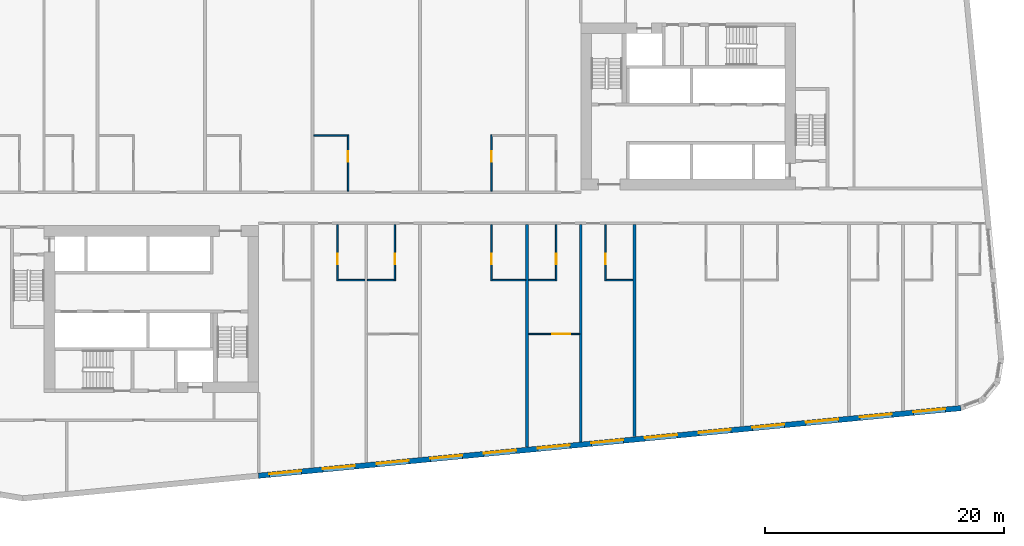
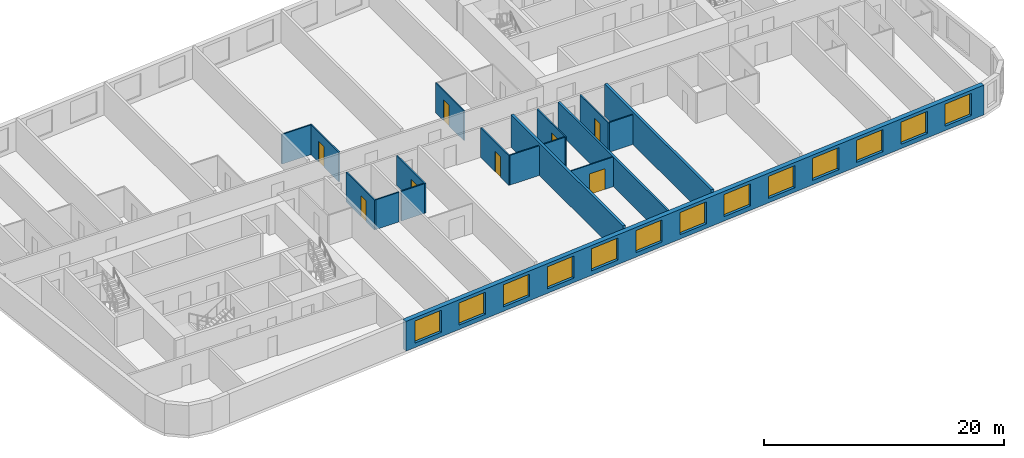
# One storey, part 4 of 12: 18 walls, 13 windows, 8 doors, 21 openings.
"""IFC4 building model written with IfcOpenShell, lengths in metres."""

from ifc_helpers import new_model, si_unit, direction, frame, frame_2d, origin, place, context, subcontext, project, spatial, rectangle, extrude, material, layer, layer_set, type_object, element, fill, save


model = new_model("IFC4")

# Units and contexts
model_context = context("Model", 3, precision=1e-05, world=origin(), true_north=direction((0.0, 1.0)))
body_context = subcontext(model_context, "Body", "Model", "MODEL_VIEW")
ifc_project = project(units=[si_unit("LENGTHUNIT", "METRE"), si_unit("AREAUNIT", "SQUARE_METRE"), si_unit("VOLUMEUNIT", "CUBIC_METRE"), si_unit("PLANEANGLEUNIT", "RADIAN"), si_unit("MASSUNIT", "GRAM", prefix="KILO")], contexts=[model_context])

# Site, building, storey
site_placement = place(None, origin())
site = spatial("IfcSite", under=ifc_project, at=site_placement, CompositionType="ELEMENT")
building_placement = place(site_placement, origin())
building = spatial("IfcBuilding", under=site, at=building_placement, Name="Kajstack Hotel Tower", CompositionType="ELEMENT")
storey_placement = place(building_placement, frame((0.0, 0.0, 117.39990234375)))
storey = spatial("IfcBuildingStorey", under=building, at=storey_placement, Name="L25", CompositionType="ELEMENT", Elevation=117.39990234375)

# Wall
ifc_material_1 = material(Name="Twin-frame gypsum board on steel studs, mineral wool", Category="steel")
ifc_layer_1 = layer(ifc_material_1, 0.199951171875)
ifc_layer_set_1 = layer_set([ifc_layer_1], Name="Demising wall 200")
wall_type_1 = type_object("IfcWallType", Name="Demising wall 200", PredefinedType="PARTITIONING", material=ifc_layer_set_1)
wall_1_placement = place(storey_placement, frame((13.5, -19.633056640625, 0.0), z_axis=(0.0, 0.0, 1.0), x_axis=(0.0, 1.0, 0.0)))
element("IfcWall", 1, at=wall_1_placement, inside=storey, type_object=wall_type_1, Name="G-wall-L25-032", PredefinedType="PARTITIONING", context=body_context, shape_type="SweptSolid", body=[
    extrude(rectangle(XDim=18.233154296875, YDim=0.199951171875, at=frame_2d((9.11669921875, 0.0))), origin(), (0.0, 0.0, 1.0), 3.02001953125),
])

# Wall, openings, windows
ifc_material_2 = material(Name="Terracotta-faced brick masonry", Category="masonry")
ifc_layer_2 = layer(ifc_material_2, 0.449951171875)
ifc_layer_set_2 = layer_set([ifc_layer_2], Name="EW-TERRA")
wall_type_2 = type_object("IfcWallType", Name="EW-TERRA", PredefinedType="SOLIDWALL", material=ifc_layer_set_2)
wall_2_placement = place(storey_placement, frame((-13.521484375, -22.46044921875, 0.0), z_axis=(0.0, 0.0, 1.0), x_axis=(0.995396096335, 0.095846812164, 0.0)))
wall_2 = element("IfcWall", 2, at=wall_2_placement, inside=storey, type_object=wall_type_2, Name="E-wall-L25-04-02", PredefinedType="SOLIDWALL", context=body_context, shape_type="SweptSolid", body=[
    extrude(rectangle(XDim=59.15087890625, YDim=0.449951171875, at=frame_2d((29.575439453125, 0.0))), origin(), (0.0, 0.0, 1.0), 3.02001953125),
])
opening_1_placement = place(wall_2_placement, frame((0.910400390625, 0.0, 0.449951171875)))
opening_1 = element("IfcOpeningElement", 3, at=opening_1_placement, cuts=wall_2, Name="Opening W1", PredefinedType="OPENING", context=body_context, shape_type="SweptSolid", body=[
    extrude(rectangle(XDim=2.699951171875, YDim=2.25, at=frame_2d((1.35009765625, 1.125))), frame((0.0, 0.23486328125, 0.0), z_axis=(0.0, -1.0, 0.0), x_axis=(1.0, 0.0, 0.0)), (0.0, 0.0, 1.0), 0.469970703125),
])
opening_2_placement = place(wall_2_placement, frame((5.43115234375, 0.0, 0.449951171875)))
opening_2 = element("IfcOpeningElement", 4, at=opening_2_placement, cuts=wall_2, Name="Opening W1", PredefinedType="OPENING", context=body_context, shape_type="SweptSolid", body=[
    extrude(rectangle(XDim=2.699951171875, YDim=2.25, at=frame_2d((1.35009765625, 1.125))), frame((0.0, 0.23486328125, 0.0), z_axis=(0.0, -1.0, 0.0), x_axis=(1.0, 0.0, 0.0)), (0.0, 0.0, 1.0), 0.469970703125),
])
opening_3_placement = place(wall_2_placement, frame((9.951904296875, 0.0, 0.449951171875)))
opening_3 = element("IfcOpeningElement", 5, at=opening_3_placement, cuts=wall_2, Name="Opening W1", PredefinedType="OPENING", context=body_context, shape_type="SweptSolid", body=[
    extrude(rectangle(XDim=2.699951171875, YDim=2.25, at=frame_2d((1.35009765625, 1.125))), frame((0.0, 0.23486328125, 0.0), z_axis=(0.0, -1.0, 0.0), x_axis=(1.0, 0.0, 0.0)), (0.0, 0.0, 1.0), 0.469970703125),
])
opening_4_placement = place(wall_2_placement, frame((14.472900390625, 0.0, 0.449951171875)))
opening_4 = element("IfcOpeningElement", 6, at=opening_4_placement, cuts=wall_2, Name="Opening W1", PredefinedType="OPENING", context=body_context, shape_type="SweptSolid", body=[
    extrude(rectangle(XDim=2.699951171875, YDim=2.25, at=frame_2d((1.35009765625, 1.125))), frame((0.0, 0.23486328125, 0.0), z_axis=(0.0, -1.0, 0.0), x_axis=(1.0, 0.0, 0.0)), (0.0, 0.0, 1.0), 0.469970703125),
])
opening_5_placement = place(wall_2_placement, frame((18.99365234375, 0.0, 0.449951171875)))
opening_5 = element("IfcOpeningElement", 7, at=opening_5_placement, cuts=wall_2, Name="Opening W1", PredefinedType="OPENING", context=body_context, shape_type="SweptSolid", body=[
    extrude(rectangle(XDim=2.699951171875, YDim=2.25, at=frame_2d((1.35009765625, 1.125))), frame((0.0, 0.23486328125, 0.0), z_axis=(0.0, -1.0, 0.0), x_axis=(1.0, 0.0, 0.0)), (0.0, 0.0, 1.0), 0.469970703125),
])
opening_6_placement = place(wall_2_placement, frame((23.514404296875, 0.0, 0.449951171875)))
opening_6 = element("IfcOpeningElement", 8, at=opening_6_placement, cuts=wall_2, Name="Opening W1", PredefinedType="OPENING", context=body_context, shape_type="SweptSolid", body=[
    extrude(rectangle(XDim=2.699951171875, YDim=2.25, at=frame_2d((1.35009765625, 1.125))), frame((0.0, 0.23486328125, 0.0), z_axis=(0.0, -1.0, 0.0), x_axis=(1.0, 0.0, 0.0)), (0.0, 0.0, 1.0), 0.469970703125),
])
opening_7_placement = place(wall_2_placement, frame((28.035400390625, 0.0, 0.449951171875)))
opening_7 = element("IfcOpeningElement", 9, at=opening_7_placement, cuts=wall_2, Name="Opening W1", PredefinedType="OPENING", context=body_context, shape_type="SweptSolid", body=[
    extrude(rectangle(XDim=2.699951171875, YDim=2.25, at=frame_2d((1.35009765625, 1.125))), frame((0.0, 0.23486328125, 0.0), z_axis=(0.0, -1.0, 0.0), x_axis=(1.0, 0.0, 0.0)), (0.0, 0.0, 1.0), 0.469970703125),
])
opening_8_placement = place(wall_2_placement, frame((32.55615234375, 0.0, 0.449951171875)))
opening_8 = element("IfcOpeningElement", 10, at=opening_8_placement, cuts=wall_2, Name="Opening W1", PredefinedType="OPENING", context=body_context, shape_type="SweptSolid", body=[
    extrude(rectangle(XDim=2.699951171875, YDim=2.25, at=frame_2d((1.35009765625, 1.125))), frame((0.0, 0.23486328125, 0.0), z_axis=(0.0, -1.0, 0.0), x_axis=(1.0, 0.0, 0.0)), (0.0, 0.0, 1.0), 0.469970703125),
])
opening_9_placement = place(wall_2_placement, frame((37.076904296875, 0.0, 0.449951171875)))
opening_9 = element("IfcOpeningElement", 11, at=opening_9_placement, cuts=wall_2, Name="Opening W1", PredefinedType="OPENING", context=body_context, shape_type="SweptSolid", body=[
    extrude(rectangle(XDim=2.699951171875, YDim=2.25, at=frame_2d((1.35009765625, 1.125))), frame((0.0, 0.23486328125, 0.0), z_axis=(0.0, -1.0, 0.0), x_axis=(1.0, 0.0, 0.0)), (0.0, 0.0, 1.0), 0.469970703125),
])
opening_10_placement = place(wall_2_placement, frame((41.59765625, 0.0, 0.449951171875)))
opening_10 = element("IfcOpeningElement", 12, at=opening_10_placement, cuts=wall_2, Name="Opening W1", PredefinedType="OPENING", context=body_context, shape_type="SweptSolid", body=[
    extrude(rectangle(XDim=2.699951171875, YDim=2.25, at=frame_2d((1.35009765625, 1.125))), frame((0.0, 0.23486328125, 0.0), z_axis=(0.0, -1.0, 0.0), x_axis=(1.0, 0.0, 0.0)), (0.0, 0.0, 1.0), 0.469970703125),
])
opening_11_placement = place(wall_2_placement, frame((46.118408203125, 0.0, 0.449951171875)))
opening_11 = element("IfcOpeningElement", 13, at=opening_11_placement, cuts=wall_2, Name="Opening W1", PredefinedType="OPENING", context=body_context, shape_type="SweptSolid", body=[
    extrude(rectangle(XDim=2.699951171875, YDim=2.25, at=frame_2d((1.35009765625, 1.125))), frame((0.0, 0.23486328125, 0.0), z_axis=(0.0, -1.0, 0.0), x_axis=(1.0, 0.0, 0.0)), (0.0, 0.0, 1.0), 0.469970703125),
])
opening_12_placement = place(wall_2_placement, frame((50.639404296875, 0.0, 0.449951171875)))
opening_12 = element("IfcOpeningElement", 14, at=opening_12_placement, cuts=wall_2, Name="Opening W1", PredefinedType="OPENING", context=body_context, shape_type="SweptSolid", body=[
    extrude(rectangle(XDim=2.699951171875, YDim=2.25, at=frame_2d((1.35009765625, 1.125))), frame((0.0, 0.23486328125, 0.0), z_axis=(0.0, -1.0, 0.0), x_axis=(1.0, 0.0, 0.0)), (0.0, 0.0, 1.0), 0.469970703125),
])
opening_13_placement = place(wall_2_placement, frame((55.149658203125, 0.0, 0.449951171875)))
opening_13 = element("IfcOpeningElement", 15, at=opening_13_placement, cuts=wall_2, Name="Opening W1", PredefinedType="OPENING", context=body_context, shape_type="SweptSolid", body=[
    extrude(rectangle(XDim=2.699951171875, YDim=2.25, at=frame_2d((1.35009765625, 1.125))), frame((0.0, 0.23486328125, 0.0), z_axis=(0.0, -1.0, 0.0), x_axis=(1.0, 0.0, 0.0)), (0.0, 0.0, 1.0), 0.469970703125),
])
ifc_material_3 = material(Name="Timber-aluminium window, triple glazed", Category="wood")
window_type = type_object("IfcWindowType", Name="WG1", PartitioningType="SINGLE_PANEL", PredefinedType="WINDOW", material=ifc_material_3)
window_1_placement = place(opening_1_placement, origin())
window_1 = element("IfcWindow", 16, at=window_1_placement, inside=storey, type_object=window_type, Name="Window W1 L25-04", OverallHeight=2.25, OverallWidth=2.699951171875, PartitioningType="SINGLE_PANEL", PredefinedType="WINDOW", context=body_context, shape_type="SweptSolid", body=[
    extrude(rectangle(XDim=2.699951171875, YDim=2.25, at=frame_2d((1.35009765625, 1.125))), frame((0.0, 0.090087890625, 0.0), z_axis=(0.0, -1.0, 0.0), x_axis=(1.0, 0.0, 0.0)), (0.0, 0.0, 1.0), 0.06005859375),
])
fill(opening_1, window_1)
window_2_placement = place(opening_2_placement, origin())
window_2 = element("IfcWindow", 17, at=window_2_placement, inside=storey, type_object=window_type, Name="Window W1 L25-04", OverallHeight=2.25, OverallWidth=2.699951171875, PartitioningType="SINGLE_PANEL", PredefinedType="WINDOW", context=body_context, shape_type="SweptSolid", body=[
    extrude(rectangle(XDim=2.699951171875, YDim=2.25, at=frame_2d((1.35009765625, 1.125))), frame((0.0, 0.090087890625, 0.0), z_axis=(0.0, -1.0, 0.0), x_axis=(1.0, 0.0, 0.0)), (0.0, 0.0, 1.0), 0.06005859375),
])
fill(opening_2, window_2)
window_3_placement = place(opening_3_placement, origin())
window_3 = element("IfcWindow", 18, at=window_3_placement, inside=storey, type_object=window_type, Name="Window W1 L25-04", OverallHeight=2.25, OverallWidth=2.699951171875, PartitioningType="SINGLE_PANEL", PredefinedType="WINDOW", context=body_context, shape_type="SweptSolid", body=[
    extrude(rectangle(XDim=2.699951171875, YDim=2.25, at=frame_2d((1.35009765625, 1.125))), frame((0.0, 0.090087890625, 0.0), z_axis=(0.0, -1.0, 0.0), x_axis=(1.0, 0.0, 0.0)), (0.0, 0.0, 1.0), 0.06005859375),
])
fill(opening_3, window_3)
window_4_placement = place(opening_4_placement, origin())
window_4 = element("IfcWindow", 19, at=window_4_placement, inside=storey, type_object=window_type, Name="Window W1 L25-04", OverallHeight=2.25, OverallWidth=2.699951171875, PartitioningType="SINGLE_PANEL", PredefinedType="WINDOW", context=body_context, shape_type="SweptSolid", body=[
    extrude(rectangle(XDim=2.699951171875, YDim=2.25, at=frame_2d((1.35009765625, 1.125))), frame((0.0, 0.090087890625, 0.0), z_axis=(0.0, -1.0, 0.0), x_axis=(1.0, 0.0, 0.0)), (0.0, 0.0, 1.0), 0.06005859375),
])
fill(opening_4, window_4)
window_5_placement = place(opening_5_placement, origin())
window_5 = element("IfcWindow", 20, at=window_5_placement, inside=storey, type_object=window_type, Name="Window W1 L25-04", OverallHeight=2.25, OverallWidth=2.699951171875, PartitioningType="SINGLE_PANEL", PredefinedType="WINDOW", context=body_context, shape_type="SweptSolid", body=[
    extrude(rectangle(XDim=2.699951171875, YDim=2.25, at=frame_2d((1.35009765625, 1.125))), frame((0.0, 0.090087890625, 0.0), z_axis=(0.0, -1.0, 0.0), x_axis=(1.0, 0.0, 0.0)), (0.0, 0.0, 1.0), 0.06005859375),
])
fill(opening_5, window_5)
window_6_placement = place(opening_6_placement, origin())
window_6 = element("IfcWindow", 21, at=window_6_placement, inside=storey, type_object=window_type, Name="Window W1 L25-04", OverallHeight=2.25, OverallWidth=2.699951171875, PartitioningType="SINGLE_PANEL", PredefinedType="WINDOW", context=body_context, shape_type="SweptSolid", body=[
    extrude(rectangle(XDim=2.699951171875, YDim=2.25, at=frame_2d((1.35009765625, 1.125))), frame((0.0, 0.090087890625, 0.0), z_axis=(0.0, -1.0, 0.0), x_axis=(1.0, 0.0, 0.0)), (0.0, 0.0, 1.0), 0.06005859375),
])
fill(opening_6, window_6)
window_7_placement = place(opening_7_placement, origin())
window_7 = element("IfcWindow", 22, at=window_7_placement, inside=storey, type_object=window_type, Name="Window W1 L25-04", OverallHeight=2.25, OverallWidth=2.699951171875, PartitioningType="SINGLE_PANEL", PredefinedType="WINDOW", context=body_context, shape_type="SweptSolid", body=[
    extrude(rectangle(XDim=2.699951171875, YDim=2.25, at=frame_2d((1.35009765625, 1.125))), frame((0.0, 0.090087890625, 0.0), z_axis=(0.0, -1.0, 0.0), x_axis=(1.0, 0.0, 0.0)), (0.0, 0.0, 1.0), 0.06005859375),
])
fill(opening_7, window_7)
window_8_placement = place(opening_8_placement, origin())
window_8 = element("IfcWindow", 23, at=window_8_placement, inside=storey, type_object=window_type, Name="Window W1 L25-04", OverallHeight=2.25, OverallWidth=2.699951171875, PartitioningType="SINGLE_PANEL", PredefinedType="WINDOW", context=body_context, shape_type="SweptSolid", body=[
    extrude(rectangle(XDim=2.699951171875, YDim=2.25, at=frame_2d((1.35009765625, 1.125))), frame((0.0, 0.090087890625, 0.0), z_axis=(0.0, -1.0, 0.0), x_axis=(1.0, 0.0, 0.0)), (0.0, 0.0, 1.0), 0.06005859375),
])
fill(opening_8, window_8)
window_9_placement = place(opening_9_placement, origin())
window_9 = element("IfcWindow", 24, at=window_9_placement, inside=storey, type_object=window_type, Name="Window W1 L25-04", OverallHeight=2.25, OverallWidth=2.699951171875, PartitioningType="SINGLE_PANEL", PredefinedType="WINDOW", context=body_context, shape_type="SweptSolid", body=[
    extrude(rectangle(XDim=2.699951171875, YDim=2.25, at=frame_2d((1.35009765625, 1.125))), frame((0.0, 0.090087890625, 0.0), z_axis=(0.0, -1.0, 0.0), x_axis=(1.0, 0.0, 0.0)), (0.0, 0.0, 1.0), 0.06005859375),
])
fill(opening_9, window_9)
window_10_placement = place(opening_10_placement, origin())
window_10 = element("IfcWindow", 25, at=window_10_placement, inside=storey, type_object=window_type, Name="Window W1 L25-04", OverallHeight=2.25, OverallWidth=2.699951171875, PartitioningType="SINGLE_PANEL", PredefinedType="WINDOW", context=body_context, shape_type="SweptSolid", body=[
    extrude(rectangle(XDim=2.699951171875, YDim=2.25, at=frame_2d((1.35009765625, 1.125))), frame((0.0, 0.090087890625, 0.0), z_axis=(0.0, -1.0, 0.0), x_axis=(1.0, 0.0, 0.0)), (0.0, 0.0, 1.0), 0.06005859375),
])
fill(opening_10, window_10)
window_11_placement = place(opening_11_placement, origin())
window_11 = element("IfcWindow", 26, at=window_11_placement, inside=storey, type_object=window_type, Name="Window W1 L25-04", OverallHeight=2.25, OverallWidth=2.699951171875, PartitioningType="SINGLE_PANEL", PredefinedType="WINDOW", context=body_context, shape_type="SweptSolid", body=[
    extrude(rectangle(XDim=2.699951171875, YDim=2.25, at=frame_2d((1.35009765625, 1.125))), frame((0.0, 0.090087890625, 0.0), z_axis=(0.0, -1.0, 0.0), x_axis=(1.0, 0.0, 0.0)), (0.0, 0.0, 1.0), 0.06005859375),
])
fill(opening_11, window_11)
window_12_placement = place(opening_12_placement, origin())
window_12 = element("IfcWindow", 27, at=window_12_placement, inside=storey, type_object=window_type, Name="Window W1 L25-04", OverallHeight=2.25, OverallWidth=2.699951171875, PartitioningType="SINGLE_PANEL", PredefinedType="WINDOW", context=body_context, shape_type="SweptSolid", body=[
    extrude(rectangle(XDim=2.699951171875, YDim=2.25, at=frame_2d((1.35009765625, 1.125))), frame((0.0, 0.090087890625, 0.0), z_axis=(0.0, -1.0, 0.0), x_axis=(1.0, 0.0, 0.0)), (0.0, 0.0, 1.0), 0.06005859375),
])
fill(opening_12, window_12)
window_13_placement = place(opening_13_placement, origin())
window_13 = element("IfcWindow", 28, at=window_13_placement, inside=storey, type_object=window_type, Name="Window W1 L25-04", OverallHeight=2.25, OverallWidth=2.699951171875, PartitioningType="SINGLE_PANEL", PredefinedType="WINDOW", context=body_context, shape_type="SweptSolid", body=[
    extrude(rectangle(XDim=2.699951171875, YDim=2.25, at=frame_2d((1.35009765625, 1.125))), frame((0.0, 0.090087890625, 0.0), z_axis=(0.0, -1.0, 0.0), x_axis=(1.0, 0.0, 0.0)), (0.0, 0.0, 1.0), 0.06005859375),
])
fill(opening_13, window_13)

# Wall, opening, door
ifc_material_4 = material(Name="Gypsum board and tiled backer on steel studs", Category="steel")
ifc_layer_3 = layer(ifc_material_4, 0.125)
ifc_layer_set_3 = layer_set([ifc_layer_3], Name="En-suite wall 125")
wall_type_3 = type_object("IfcWallType", Name="En-suite wall 125", PredefinedType="PARTITIONING", material=ifc_layer_set_3)
wall_3_placement = place(storey_placement, frame((-6.012939453125, 1.39990234375, 0.0), z_axis=(0.0, 0.0, 1.0), x_axis=(0.0, 1.0, 0.0)))
wall_3 = element("IfcWall", 29, at=wall_3_placement, inside=storey, type_object=wall_type_3, Name="G-wall-L25-015", PredefinedType="PARTITIONING", context=body_context, shape_type="SweptSolid", body=[
    extrude(rectangle(XDim=4.72509765625, YDim=0.125, at=frame_2d((2.362548828125, 0.0))), origin(), (0.0, 0.0, 1.0), 3.02001953125),
])
opening_14_placement = place(wall_3_placement, frame((2.449951171875, 0.0, 0.0)))
opening_14 = element("IfcOpeningElement", 30, at=opening_14_placement, cuts=wall_3, Name="Opening 25012", PredefinedType="OPENING", context=body_context, shape_type="SweptSolid", body=[
    extrude(rectangle(XDim=0.89990234375, YDim=2.10009765625, at=frame_2d((0.449951171875, 1.050048828125))), frame((0.0, 0.072509765625, 0.0), z_axis=(0.0, -1.0, 0.0), x_axis=(1.0, 0.0, 0.0)), (0.0, 0.0, 1.0), 0.14501953125),
])
ifc_material_5 = material(Name="Painted timber door leaf", Category="wood")
door_type_1 = type_object("IfcDoorType", Name="Room door 900", OperationType="SINGLE_SWING_LEFT", PredefinedType="DOOR", material=ifc_material_5)
door_1_placement = place(opening_14_placement, origin())
door_1 = element("IfcDoor", 31, at=door_1_placement, inside=storey, type_object=door_type_1, Name="G-door-L25-12", OperationType="SINGLE_SWING_RIGHT", OverallHeight=2.10009765625, OverallWidth=0.89990234375, PredefinedType="DOOR", context=body_context, shape_type="SweptSolid", body=[
    extrude(rectangle(XDim=0.89990234375, YDim=2.10009765625, at=frame_2d((0.449951171875, 1.050048828125))), frame((0.0, 0.02490234375, 0.0), z_axis=(0.0, -1.0, 0.0), x_axis=(1.0, 0.0, 0.0)), (0.0, 0.0, 1.0), 0.050048828125),
])
fill(opening_14, door_1)

# Wall
wall_4_placement = place(storey_placement, frame((-8.875, 6.06201171875, 0.0), z_axis=(0.0, 0.0, 1.0), x_axis=(1.0, 0.0, 0.0)))
element("IfcWall", 32, at=wall_4_placement, inside=storey, type_object=wall_type_3, Name="G-wall-L25-016", PredefinedType="PARTITIONING", context=body_context, shape_type="SweptSolid", body=[
    extrude(rectangle(XDim=2.800048828125, YDim=0.125, at=frame_2d((1.39990234375, 0.0))), origin(), (0.0, 0.0, 1.0), 3.02001953125),
])

# Wall, opening, door
wall_5_placement = place(storey_placement, frame((6.012939453125, 1.39990234375, 0.0), z_axis=(0.0, 0.0, 1.0), x_axis=(0.0, 1.0, 0.0)))
wall_5 = element("IfcWall", 33, at=wall_5_placement, inside=storey, type_object=wall_type_3, Name="G-wall-L25-017", PredefinedType="PARTITIONING", context=body_context, shape_type="SweptSolid", body=[
    extrude(rectangle(XDim=4.72509765625, YDim=0.125, at=frame_2d((2.362548828125, 0.0))), origin(), (0.0, 0.0, 1.0), 3.02001953125),
])
opening_15_placement = place(wall_5_placement, frame((2.449951171875, 0.0, 0.0)))
opening_15 = element("IfcOpeningElement", 34, at=opening_15_placement, cuts=wall_5, Name="Opening 25014", PredefinedType="OPENING", context=body_context, shape_type="SweptSolid", body=[
    extrude(rectangle(XDim=0.89990234375, YDim=2.10009765625, at=frame_2d((0.449951171875, 1.050048828125))), frame((0.0, 0.072509765625, 0.0), z_axis=(0.0, -1.0, 0.0), x_axis=(1.0, 0.0, 0.0)), (0.0, 0.0, 1.0), 0.14501953125),
])
door_2_placement = place(opening_15_placement, origin())
door_2 = element("IfcDoor", 35, at=door_2_placement, inside=storey, type_object=door_type_1, Name="G-door-L25-14", OperationType="SINGLE_SWING_LEFT", OverallHeight=2.10009765625, OverallWidth=0.89990234375, PredefinedType="DOOR", context=body_context, shape_type="SweptSolid", body=[
    extrude(rectangle(XDim=0.89990234375, YDim=2.10009765625, at=frame_2d((0.449951171875, 1.050048828125))), frame((0.0, 0.02490234375, 0.0), z_axis=(0.0, -1.0, 0.0), x_axis=(1.0, 0.0, 0.0)), (0.0, 0.0, 1.0), 0.050048828125),
])
fill(opening_15, door_2)

wall_6_placement = place(storey_placement, frame((-6.912109375, -6.125, 0.0), z_axis=(0.0, 0.0, 1.0), x_axis=(0.0, 1.0, 0.0)))
wall_6 = element("IfcWall", 36, at=wall_6_placement, inside=storey, type_object=wall_type_3, Name="G-wall-L25-025", PredefinedType="PARTITIONING", context=body_context, shape_type="SweptSolid", body=[
    extrude(rectangle(XDim=4.72509765625, YDim=0.125, at=frame_2d((2.362548828125, 0.0))), origin(), (0.0, 0.0, 1.0), 3.02001953125),
])
opening_16_placement = place(wall_6_placement, frame((1.375, 0.0, 0.0)))
opening_16 = element("IfcOpeningElement", 37, at=opening_16_placement, cuts=wall_6, Name="Opening 25020", PredefinedType="OPENING", context=body_context, shape_type="SweptSolid", body=[
    extrude(rectangle(XDim=0.89990234375, YDim=2.10009765625, at=frame_2d((0.449951171875, 1.050048828125))), frame((0.0, 0.072509765625, 0.0), z_axis=(0.0, -1.0, 0.0), x_axis=(1.0, 0.0, 0.0)), (0.0, 0.0, 1.0), 0.14501953125),
])
door_3_placement = place(opening_16_placement, origin())
door_3 = element("IfcDoor", 38, at=door_3_placement, inside=storey, type_object=door_type_1, Name="G-door-L25-20", OperationType="SINGLE_SWING_RIGHT", OverallHeight=2.10009765625, OverallWidth=0.89990234375, PredefinedType="DOOR", context=body_context, shape_type="SweptSolid", body=[
    extrude(rectangle(XDim=0.89990234375, YDim=2.10009765625, at=frame_2d((0.449951171875, 1.050048828125))), frame((0.0, 0.02490234375, 0.0), z_axis=(0.0, -1.0, 0.0), x_axis=(1.0, 0.0, 0.0)), (0.0, 0.0, 1.0), 0.050048828125),
])
fill(opening_16, door_3)

# Wall
wall_7_placement = place(storey_placement, frame((-6.85009765625, -6.06201171875, 0.0), z_axis=(0.0, 0.0, 1.0), x_axis=(1.0, 0.0, 0.0)))
element("IfcWall", 39, at=wall_7_placement, inside=storey, type_object=wall_type_3, Name="G-wall-L25-026", PredefinedType="PARTITIONING", context=body_context, shape_type="SweptSolid", body=[
    extrude(rectangle(XDim=2.25, YDim=0.125, at=frame_2d((1.125, 0.0))), origin(), (0.0, 0.0, 1.0), 3.02001953125),
])

# Wall, opening, door
wall_8_placement = place(storey_placement, frame((-2.0869140625, -6.125, 0.0), z_axis=(0.0, 0.0, 1.0), x_axis=(0.0, 1.0, 0.0)))
wall_8 = element("IfcWall", 40, at=wall_8_placement, inside=storey, type_object=wall_type_3, Name="G-wall-L25-027", PredefinedType="PARTITIONING", context=body_context, shape_type="SweptSolid", body=[
    extrude(rectangle(XDim=4.72509765625, YDim=0.125, at=frame_2d((2.362548828125, 0.0))), origin(), (0.0, 0.0, 1.0), 3.02001953125),
])
opening_17_placement = place(wall_8_placement, frame((1.375, 0.0, 0.0)))
opening_17 = element("IfcOpeningElement", 41, at=opening_17_placement, cuts=wall_8, Name="Opening 25022", PredefinedType="OPENING", context=body_context, shape_type="SweptSolid", body=[
    extrude(rectangle(XDim=0.89990234375, YDim=2.10009765625, at=frame_2d((0.449951171875, 1.050048828125))), frame((0.0, 0.072509765625, 0.0), z_axis=(0.0, -1.0, 0.0), x_axis=(1.0, 0.0, 0.0)), (0.0, 0.0, 1.0), 0.14501953125),
])
door_4_placement = place(opening_17_placement, origin())
door_4 = element("IfcDoor", 42, at=door_4_placement, inside=storey, type_object=door_type_1, Name="G-door-L25-22", OperationType="SINGLE_SWING_LEFT", OverallHeight=2.10009765625, OverallWidth=0.89990234375, PredefinedType="DOOR", context=body_context, shape_type="SweptSolid", body=[
    extrude(rectangle(XDim=0.89990234375, YDim=2.10009765625, at=frame_2d((0.449951171875, 1.050048828125))), frame((0.0, 0.02490234375, 0.0), z_axis=(0.0, -1.0, 0.0), x_axis=(1.0, 0.0, 0.0)), (0.0, 0.0, 1.0), 0.050048828125),
])
fill(opening_17, door_4)

# Wall
wall_9_placement = place(storey_placement, frame((-4.39990234375, -6.06201171875, 0.0), z_axis=(0.0, 0.0, 1.0), x_axis=(1.0, 0.0, 0.0)))
element("IfcWall", 43, at=wall_9_placement, inside=storey, type_object=wall_type_3, Name="G-wall-L25-028", PredefinedType="PARTITIONING", context=body_context, shape_type="SweptSolid", body=[
    extrude(rectangle(XDim=2.25, YDim=0.125, at=frame_2d((1.125, 0.0))), origin(), (0.0, 0.0, 1.0), 3.02001953125),
])

# Wall, opening, door
wall_10_placement = place(storey_placement, frame((6.012939453125, -6.125, 0.0), z_axis=(0.0, 0.0, 1.0), x_axis=(0.0, 1.0, 0.0)))
wall_10 = element("IfcWall", 44, at=wall_10_placement, inside=storey, type_object=wall_type_3, Name="G-wall-L25-030", PredefinedType="PARTITIONING", context=body_context, shape_type="SweptSolid", body=[
    extrude(rectangle(XDim=4.72509765625, YDim=0.125, at=frame_2d((2.362548828125, 0.0))), origin(), (0.0, 0.0, 1.0), 3.02001953125),
])
opening_18_placement = place(wall_10_placement, frame((1.375, 0.0, 0.0)))
opening_18 = element("IfcOpeningElement", 45, at=opening_18_placement, cuts=wall_10, Name="Opening 25025", PredefinedType="OPENING", context=body_context, shape_type="SweptSolid", body=[
    extrude(rectangle(XDim=0.89990234375, YDim=2.10009765625, at=frame_2d((0.449951171875, 1.050048828125))), frame((0.0, 0.072509765625, 0.0), z_axis=(0.0, -1.0, 0.0), x_axis=(1.0, 0.0, 0.0)), (0.0, 0.0, 1.0), 0.14501953125),
])
door_5_placement = place(opening_18_placement, origin())
door_5 = element("IfcDoor", 46, at=door_5_placement, inside=storey, type_object=door_type_1, Name="G-door-L25-25", OperationType="SINGLE_SWING_LEFT", OverallHeight=2.10009765625, OverallWidth=0.89990234375, PredefinedType="DOOR", context=body_context, shape_type="SweptSolid", body=[
    extrude(rectangle(XDim=0.89990234375, YDim=2.10009765625, at=frame_2d((0.449951171875, 1.050048828125))), frame((0.0, 0.02490234375, 0.0), z_axis=(0.0, -1.0, 0.0), x_axis=(1.0, 0.0, 0.0)), (0.0, 0.0, 1.0), 0.050048828125),
])
fill(opening_18, door_5)

# Wall
wall_11_placement = place(storey_placement, frame((6.074951171875, -6.06201171875, 0.0), z_axis=(0.0, 0.0, 1.0), x_axis=(1.0, 0.0, 0.0)))
element("IfcWall", 47, at=wall_11_placement, inside=storey, type_object=wall_type_3, Name="G-wall-L25-031", PredefinedType="PARTITIONING", context=body_context, shape_type="SweptSolid", body=[
    extrude(rectangle(XDim=2.800048828125, YDim=0.125, at=frame_2d((1.39990234375, 0.0))), origin(), (0.0, 0.0, 1.0), 3.02001953125),
])

# Wall, opening, door
wall_12_placement = place(storey_placement, frame((11.43798828125, -6.125, 0.0), z_axis=(0.0, 0.0, 1.0), x_axis=(0.0, 1.0, 0.0)))
wall_12 = element("IfcWall", 48, at=wall_12_placement, inside=storey, type_object=wall_type_3, Name="G-wall-L25-033", PredefinedType="PARTITIONING", context=body_context, shape_type="SweptSolid", body=[
    extrude(rectangle(XDim=4.72509765625, YDim=0.125, at=frame_2d((2.362548828125, 0.0))), origin(), (0.0, 0.0, 1.0), 3.02001953125),
])
opening_19_placement = place(wall_12_placement, frame((1.375, 0.0, 0.0)))
opening_19 = element("IfcOpeningElement", 49, at=opening_19_placement, cuts=wall_12, Name="Opening 25027", PredefinedType="OPENING", context=body_context, shape_type="SweptSolid", body=[
    extrude(rectangle(XDim=0.89990234375, YDim=2.10009765625, at=frame_2d((0.449951171875, 1.050048828125))), frame((0.0, 0.072509765625, 0.0), z_axis=(0.0, -1.0, 0.0), x_axis=(1.0, 0.0, 0.0)), (0.0, 0.0, 1.0), 0.14501953125),
])
door_6_placement = place(opening_19_placement, origin())
door_6 = element("IfcDoor", 50, at=door_6_placement, inside=storey, type_object=door_type_1, Name="G-door-L25-27", OperationType="SINGLE_SWING_RIGHT", OverallHeight=2.10009765625, OverallWidth=0.89990234375, PredefinedType="DOOR", context=body_context, shape_type="SweptSolid", body=[
    extrude(rectangle(XDim=0.89990234375, YDim=2.10009765625, at=frame_2d((0.449951171875, 1.050048828125))), frame((0.0, 0.02490234375, 0.0), z_axis=(0.0, -1.0, 0.0), x_axis=(1.0, 0.0, 0.0)), (0.0, 0.0, 1.0), 0.050048828125),
])
fill(opening_19, door_6)

# Wall
wall_13_placement = place(storey_placement, frame((9.125, -6.06201171875, 0.0), z_axis=(0.0, 0.0, 1.0), x_axis=(1.0, 0.0, 0.0)))
element("IfcWall", 51, at=wall_13_placement, inside=storey, type_object=wall_type_3, Name="G-wall-L25-034", PredefinedType="PARTITIONING", context=body_context, shape_type="SweptSolid", body=[
    extrude(rectangle(XDim=2.25, YDim=0.125, at=frame_2d((1.125, 0.0))), origin(), (0.0, 0.0, 1.0), 3.02001953125),
])

# Wall, opening, door
wall_14_placement = place(storey_placement, frame((15.56201171875, -6.125, 0.0), z_axis=(0.0, 0.0, 1.0), x_axis=(0.0, 1.0, 0.0)))
wall_14 = element("IfcWall", 52, at=wall_14_placement, inside=storey, type_object=wall_type_3, Name="G-wall-L25-036", PredefinedType="PARTITIONING", context=body_context, shape_type="SweptSolid", body=[
    extrude(rectangle(XDim=4.72509765625, YDim=0.125, at=frame_2d((2.362548828125, 0.0))), origin(), (0.0, 0.0, 1.0), 3.02001953125),
])
opening_20_placement = place(wall_14_placement, frame((1.375, 0.0, 0.0)))
opening_20 = element("IfcOpeningElement", 53, at=opening_20_placement, cuts=wall_14, Name="Opening 25030", PredefinedType="OPENING", context=body_context, shape_type="SweptSolid", body=[
    extrude(rectangle(XDim=0.89990234375, YDim=2.10009765625, at=frame_2d((0.449951171875, 1.050048828125))), frame((0.0, 0.072509765625, 0.0), z_axis=(0.0, -1.0, 0.0), x_axis=(1.0, 0.0, 0.0)), (0.0, 0.0, 1.0), 0.14501953125),
])
door_7_placement = place(opening_20_placement, origin())
door_7 = element("IfcDoor", 54, at=door_7_placement, inside=storey, type_object=door_type_1, Name="G-door-L25-30", OperationType="SINGLE_SWING_RIGHT", OverallHeight=2.10009765625, OverallWidth=0.89990234375, PredefinedType="DOOR", context=body_context, shape_type="SweptSolid", body=[
    extrude(rectangle(XDim=0.89990234375, YDim=2.10009765625, at=frame_2d((0.449951171875, 1.050048828125))), frame((0.0, 0.02490234375, 0.0), z_axis=(0.0, -1.0, 0.0), x_axis=(1.0, 0.0, 0.0)), (0.0, 0.0, 1.0), 0.050048828125),
])
fill(opening_20, door_7)

# Wall
wall_15_placement = place(storey_placement, frame((15.625, -6.06201171875, 0.0), z_axis=(0.0, 0.0, 1.0), x_axis=(1.0, 0.0, 0.0)))
element("IfcWall", 55, at=wall_15_placement, inside=storey, type_object=wall_type_3, Name="G-wall-L25-037", PredefinedType="PARTITIONING", context=body_context, shape_type="SweptSolid", body=[
    extrude(rectangle(XDim=2.25, YDim=0.125, at=frame_2d((1.125, 0.0))), origin(), (0.0, 0.0, 1.0), 3.02001953125),
])

# Wall, opening, door
ifc_material_6 = material(Name="Gypsum board on steel studs", Category="steel")
ifc_layer_4 = layer(ifc_material_6, 0.10009765625)
ifc_layer_set_4 = layer_set([ifc_layer_4], Name="Partition 100")
wall_type_4 = type_object("IfcWallType", Name="Partition 100", PredefinedType="PARTITIONING", material=ifc_layer_set_4)
wall_16_placement = place(storey_placement, frame((9.125, -10.574951171875, 0.0), z_axis=(0.0, 0.0, 1.0), x_axis=(1.0, 0.0, 0.0)))
wall_16 = element("IfcWall", 56, at=wall_16_placement, inside=storey, type_object=wall_type_4, Name="G-wall-L25-035", PredefinedType="PARTITIONING", context=body_context, shape_type="SweptSolid", body=[
    extrude(rectangle(XDim=4.27490234375, YDim=0.10009765625, at=frame_2d((2.137451171875, 0.0))), origin(), (0.0, 0.0, 1.0), 3.02001953125),
])
opening_21_placement = place(wall_16_placement, frame((1.987060546875, 0.0, 0.0)))
opening_21 = element("IfcOpeningElement", 57, at=opening_21_placement, cuts=wall_16, Name="Opening 25028", PredefinedType="OPENING", context=body_context, shape_type="SweptSolid", body=[
    extrude(rectangle(XDim=1.5, YDim=2.10009765625, at=frame_2d((0.75, 1.050048828125))), frame((0.0, 0.06005859375, 0.0), z_axis=(0.0, -1.0, 0.0), x_axis=(1.0, 0.0, 0.0)), (0.0, 0.0, 1.0), 0.1201171875),
])
ifc_material_7 = material(Name="Painted timber door leaves, glazed panels", Category="wood")
door_type_2 = type_object("IfcDoorType", Name="Double door 1500", OperationType="SINGLE_SWING_LEFT", PredefinedType="DOOR", material=ifc_material_7)
door_8_placement = place(opening_21_placement, origin())
door_8 = element("IfcDoor", 58, at=door_8_placement, inside=storey, type_object=door_type_2, Name="G-door-L25-28", OperationType="SINGLE_SWING_LEFT", OverallHeight=2.10009765625, OverallWidth=1.5, PredefinedType="DOOR", context=body_context, shape_type="SweptSolid", body=[
    extrude(rectangle(XDim=1.5, YDim=2.10009765625, at=frame_2d((0.75, 1.050048828125))), frame((0.0, 0.02490234375, 0.0), z_axis=(0.0, -1.0, 0.0), x_axis=(1.0, 0.0, 0.0)), (0.0, 0.0, 1.0), 0.050048828125),
])
fill(opening_21, door_8)

# Walls
ifc_material_8 = material(Name="Concrete C55/67", Category="concrete")
ifc_layer_5 = layer(ifc_material_8, 0.25)
ifc_layer_set_5 = layer_set([ifc_layer_5], Name="RC cross wall 250 C55/67")
wall_type_5 = type_object("IfcWallType", Name="RC cross wall 250 C55/67", PredefinedType="SHEAR", material=ifc_layer_set_5)
wall_17_placement = place(storey_placement, frame((9.0, -20.043701171875, 0.0), z_axis=(0.0, 0.0, 1.0), x_axis=(0.0, 1.0, 0.0)))
element("IfcWall", 59, at=wall_17_placement, inside=storey, type_object=wall_type_5, Name="S-wall-L25-08", PredefinedType="SHEAR", context=body_context, shape_type="SweptSolid", body=[
    extrude(rectangle(XDim=18.643798828125, YDim=0.25, at=frame_2d((9.32177734375, 0.0))), origin(), (0.0, 0.0, 1.0), 3.300048828125),
])
wall_18_placement = place(storey_placement, frame((18.0, -19.17724609375, 0.0), z_axis=(0.0, 0.0, 1.0), x_axis=(0.0, 1.0, 0.0)))
element("IfcWall", 60, at=wall_18_placement, inside=storey, type_object=wall_type_5, Name="S-wall-L25-10", PredefinedType="SHEAR", context=body_context, shape_type="SweptSolid", body=[
    extrude(rectangle(XDim=17.77734375, YDim=0.25, at=frame_2d((8.888671875, 0.0))), origin(), (0.0, 0.0, 1.0), 3.300048828125),
])

save(model, "model.ifc")
